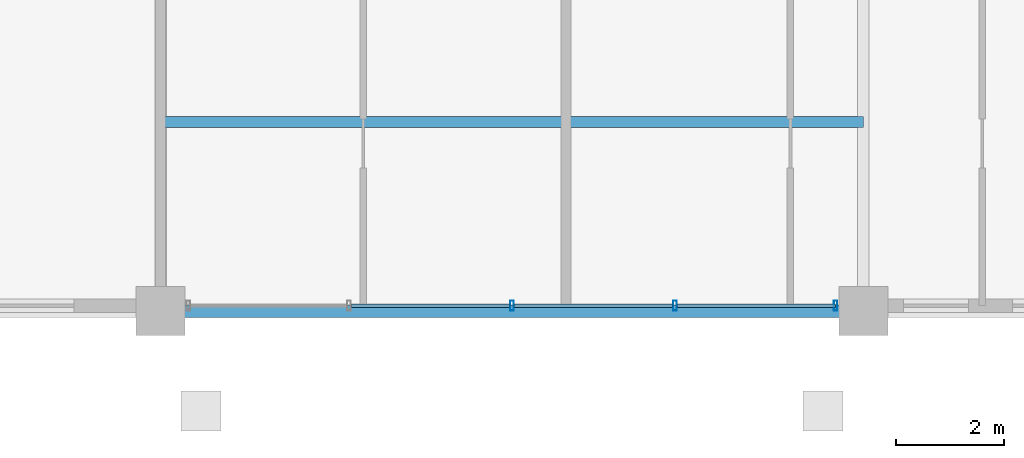
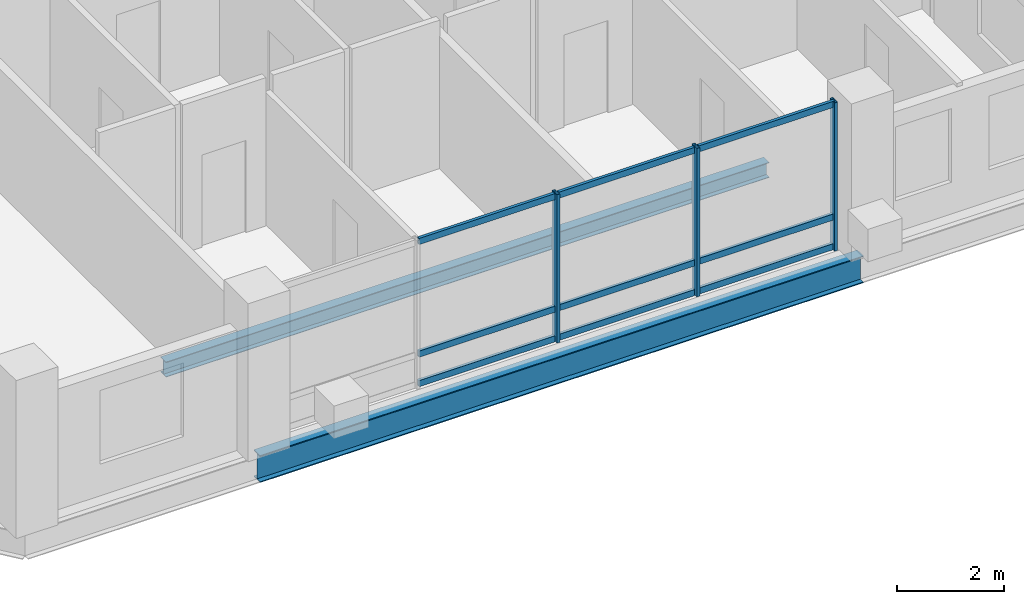
# One storey, part 4 of 21: 12 members, 2 beams, 1 element without a shape of its own.
"""IFC4 building model written with IfcOpenShell, lengths in metres."""

from ifc_helpers import new_model, si_unit, direction, frame, origin, origin_2d, place, context, subcontext, project, spatial, hollow_rectangle, i_section, extrude, material, layer, layer_set, material_profile, profile_set, type_object, element, aggregate, save


model = new_model("IFC4")

# Units and contexts
model_context = context("Model", 3, precision=1e-05, world=origin(), true_north=direction((0.0, 1.0)))
body_context = subcontext(model_context, "Body", "Model", "MODEL_VIEW")
ifc_project = project(units=[si_unit("LENGTHUNIT", "METRE"), si_unit("AREAUNIT", "SQUARE_METRE"), si_unit("VOLUMEUNIT", "CUBIC_METRE"), si_unit("PLANEANGLEUNIT", "RADIAN"), si_unit("MASSUNIT", "GRAM", prefix="KILO")], contexts=[model_context])

# Site, building, storey
site_placement = place(None, origin())
site = spatial("IfcSite", under=ifc_project, at=site_placement, CompositionType="ELEMENT")
building_placement = place(site_placement, origin())
building = spatial("IfcBuilding", under=site, at=building_placement, Name="Barlavira Tower and Art Museum", CompositionType="ELEMENT")
storey_placement = place(building_placement, frame((0.0, 0.0, 297.89990234375)))
storey = spatial("IfcBuildingStorey", under=building, at=storey_placement, Name="L78", CompositionType="ELEMENT", Elevation=297.89990234375)

# Curtain wall, members
ifc_material_1 = material(Name="Low-iron coastal laminated glass", Category="glass")
ifc_layer = layer(ifc_material_1, 0.2099609375, Name="Low-iron coastal laminated glass")
ifc_layer_set = layer_set([ifc_layer], Name="Low-iron coastal laminated glass")
curtain_wall_type = type_object("IfcCurtainWallType", Name="Pale-Metal Unitised Curtain Wall Zone 4", PredefinedType="NOTDEFINED", material=ifc_layer_set)
curtain_wall_placement = place(storey_placement, origin())
curtain_wall = element("IfcCurtainWall", 1, at=curtain_wall_placement, inside=storey, type_object=curtain_wall_type, Name="L78 Curtain Wall CW4-L78-S-B2", PredefinedType="NOTDEFINED")
ifc_material_2 = material(Name="Pale anodised aluminium", Category="aluminium")
ifc_material_profile_1 = material_profile(ifc_material_2, hollow_rectangle(XDim=0.06494140625, YDim=0.179931640625, WallThickness=0.00390625, at=origin_2d()), Name="ALU-MULL 65x180x4")
ifc_profile_set_1 = profile_set([ifc_material_profile_1], Name="Pale anodised aluminium")
member_type_1 = type_object("IfcMemberType", Name="Curtain Wall Pale-Metal Mullion 65x180", PredefinedType="MULLION", material=ifc_profile_set_1)
member_1_placement = place(storey_placement, frame((0.0, -19.89990234375, 0.0), z_axis=(0.0, 0.0, 1.0), x_axis=(1.0, 0.0, 0.0)))
member_1 = element("IfcMember", 2, at=member_1_placement, type_object=member_type_1, Name="CW4-L78-S-B2 Mullion 2", PredefinedType="MULLION", context=body_context, shape_type="SweptSolid", body=[
    extrude(hollow_rectangle(XDim=0.06494140625, YDim=0.179931640625, WallThickness=0.00390625, at=origin_2d()), origin(), (0.0, 0.0, 1.0), 3.380126953125),
])
member_2_placement = place(storey_placement, frame((3.014892578125, -19.89990234375, 0.0), z_axis=(0.0, 0.0, 1.0), x_axis=(1.0, 0.0, 0.0)))
member_2 = element("IfcMember", 3, at=member_2_placement, type_object=member_type_1, Name="CW4-L78-S-B2 Mullion 3", PredefinedType="MULLION", context=body_context, shape_type="SweptSolid", body=[
    extrude(hollow_rectangle(XDim=0.06494140625, YDim=0.179931640625, WallThickness=0.00390625, at=origin_2d()), origin(), (0.0, 0.0, 1.0), 3.380126953125),
])
member_3_placement = place(storey_placement, frame((5.985107421875, -19.89990234375, 0.0), z_axis=(0.0, 0.0, 1.0), x_axis=(1.0, 0.0, 0.0)))
member_3 = element("IfcMember", 4, at=member_3_placement, type_object=member_type_1, Name="CW4-L78-S-B2 Mullion 4", PredefinedType="MULLION", context=body_context, shape_type="SweptSolid", body=[
    extrude(hollow_rectangle(XDim=0.06494140625, YDim=0.179931640625, WallThickness=0.00390625, at=origin_2d()), origin(), (0.0, 0.0, 1.0), 3.380126953125),
])
ifc_material_profile_2 = material_profile(ifc_material_2, hollow_rectangle(XDim=0.06494140625, YDim=0.139892578125, WallThickness=0.00390625, at=origin_2d()), Name="ALU-TRAN 65x140x4")
ifc_profile_set_2 = profile_set([ifc_material_profile_2], Name="Pale anodised aluminium")
member_type_2 = type_object("IfcMemberType", Name="Curtain Wall Pale-Metal Transom 65x140", PredefinedType="USERDEFINED", material=ifc_profile_set_2)
member_4_placement = place(storey_placement, frame((-2.969970703125, -19.89990234375, 0.070068359375), z_axis=(1.0, 0.0, 0.0), x_axis=(0.0, 1.0, 0.0)))
member_4 = element("IfcMember", 5, at=member_4_placement, type_object=member_type_2, Name="CW4-L78-S-B2 Transom 1.1", ObjectType="TRANSOM", PredefinedType="USERDEFINED", context=body_context, shape_type="SweptSolid", body=[
    extrude(hollow_rectangle(XDim=0.06494140625, YDim=0.139892578125, WallThickness=0.00390625, at=origin_2d()), origin(), (0.0, 0.0, 1.0), 2.925048828125),
])
member_5_placement = place(storey_placement, frame((-2.969970703125, -19.89990234375, 0.744140625), z_axis=(1.0, 0.0, 0.0), x_axis=(0.0, 1.0, 0.0)))
member_5 = element("IfcMember", 6, at=member_5_placement, type_object=member_type_2, Name="CW4-L78-S-B2 Transom 1.2", ObjectType="TRANSOM", PredefinedType="USERDEFINED", context=body_context, shape_type="SweptSolid", body=[
    extrude(hollow_rectangle(XDim=0.06494140625, YDim=0.139892578125, WallThickness=0.00390625, at=origin_2d()), origin(), (0.0, 0.0, 1.0), 2.925048828125),
])
member_6_placement = place(storey_placement, frame((-2.969970703125, -19.89990234375, 3.31005859375), z_axis=(1.0, 0.0, 0.0), x_axis=(0.0, 1.0, 0.0)))
member_6 = element("IfcMember", 7, at=member_6_placement, type_object=member_type_2, Name="CW4-L78-S-B2 Transom 1.3", ObjectType="TRANSOM", PredefinedType="USERDEFINED", context=body_context, shape_type="SweptSolid", body=[
    extrude(hollow_rectangle(XDim=0.06494140625, YDim=0.139892578125, WallThickness=0.00390625, at=origin_2d()), origin(), (0.0, 0.0, 1.0), 2.925048828125),
])
member_7_placement = place(storey_placement, frame((0.044921875, -19.89990234375, 0.070068359375), z_axis=(1.0, 0.0, 0.0), x_axis=(0.0, 1.0, 0.0)))
member_7 = element("IfcMember", 8, at=member_7_placement, type_object=member_type_2, Name="CW4-L78-S-B2 Transom 2.1", ObjectType="TRANSOM", PredefinedType="USERDEFINED", context=body_context, shape_type="SweptSolid", body=[
    extrude(hollow_rectangle(XDim=0.06494140625, YDim=0.139892578125, WallThickness=0.00390625, at=origin_2d()), origin(), (0.0, 0.0, 1.0), 2.925048828125),
])
member_8_placement = place(storey_placement, frame((0.044921875, -19.89990234375, 0.744140625), z_axis=(1.0, 0.0, 0.0), x_axis=(0.0, 1.0, 0.0)))
member_8 = element("IfcMember", 9, at=member_8_placement, type_object=member_type_2, Name="CW4-L78-S-B2 Transom 2.2", ObjectType="TRANSOM", PredefinedType="USERDEFINED", context=body_context, shape_type="SweptSolid", body=[
    extrude(hollow_rectangle(XDim=0.06494140625, YDim=0.139892578125, WallThickness=0.00390625, at=origin_2d()), origin(), (0.0, 0.0, 1.0), 2.925048828125),
])
member_9_placement = place(storey_placement, frame((0.044921875, -19.89990234375, 3.31005859375), z_axis=(1.0, 0.0, 0.0), x_axis=(0.0, 1.0, 0.0)))
member_9 = element("IfcMember", 10, at=member_9_placement, type_object=member_type_2, Name="CW4-L78-S-B2 Transom 2.3", ObjectType="TRANSOM", PredefinedType="USERDEFINED", context=body_context, shape_type="SweptSolid", body=[
    extrude(hollow_rectangle(XDim=0.06494140625, YDim=0.139892578125, WallThickness=0.00390625, at=origin_2d()), origin(), (0.0, 0.0, 1.0), 2.925048828125),
])
member_10_placement = place(storey_placement, frame((3.06005859375, -19.89990234375, 0.070068359375), z_axis=(1.0, 0.0, 0.0), x_axis=(0.0, 1.0, 0.0)))
member_10 = element("IfcMember", 11, at=member_10_placement, type_object=member_type_2, Name="CW4-L78-S-B2 Transom 3.1", ObjectType="TRANSOM", PredefinedType="USERDEFINED", context=body_context, shape_type="SweptSolid", body=[
    extrude(hollow_rectangle(XDim=0.06494140625, YDim=0.139892578125, WallThickness=0.00390625, at=origin_2d()), origin(), (0.0, 0.0, 1.0), 2.925048828125),
])
member_11_placement = place(storey_placement, frame((3.06005859375, -19.89990234375, 0.744140625), z_axis=(1.0, 0.0, 0.0), x_axis=(0.0, 1.0, 0.0)))
member_11 = element("IfcMember", 12, at=member_11_placement, type_object=member_type_2, Name="CW4-L78-S-B2 Transom 3.2", ObjectType="TRANSOM", PredefinedType="USERDEFINED", context=body_context, shape_type="SweptSolid", body=[
    extrude(hollow_rectangle(XDim=0.06494140625, YDim=0.139892578125, WallThickness=0.00390625, at=origin_2d()), origin(), (0.0, 0.0, 1.0), 2.925048828125),
])
member_12_placement = place(storey_placement, frame((3.06005859375, -19.89990234375, 3.31005859375), z_axis=(1.0, 0.0, 0.0), x_axis=(0.0, 1.0, 0.0)))
member_12 = element("IfcMember", 13, at=member_12_placement, type_object=member_type_2, Name="CW4-L78-S-B2 Transom 3.3", ObjectType="TRANSOM", PredefinedType="USERDEFINED", context=body_context, shape_type="SweptSolid", body=[
    extrude(hollow_rectangle(XDim=0.06494140625, YDim=0.139892578125, WallThickness=0.00390625, at=origin_2d()), origin(), (0.0, 0.0, 1.0), 2.925048828125),
])
aggregate(curtain_wall, [member_1, member_2, member_3, member_4, member_5, member_6, member_7, member_8, member_9, member_10, member_11, member_12])

# Beams
ifc_material_3 = material(Name="Steel S355", Category="steel")
ifc_material_profile_3 = material_profile(ifc_material_3, i_section(OverallWidth=0.22998046875, OverallDepth=0.616943359375, WebThickness=0.01318359375, FlangeThickness=0.022216796875, at=origin_2d()), Name="W610x140.0")
ifc_profile_set_3 = profile_set([ifc_material_profile_3], Name="Steel S355")
beam_type_1 = type_object("IfcBeamType", Name="Upper Shaft Spandrel Edge Beam W610x140 Steel S355", PredefinedType="SPANDREL", material=ifc_profile_set_3)
beam_1_placement = place(storey_placement, frame((-6.5, -20.0, -0.5283203125), z_axis=(1.0, 0.0, 0.0), x_axis=(0.0, 1.0, 0.0)))
element("IfcBeam", 14, at=beam_1_placement, inside=storey, type_object=beam_type_1, Name="L78 Spandrel 2", PredefinedType="SPANDREL", context=body_context, shape_type="SweptSolid", body=[
    extrude(i_section(OverallWidth=0.22998046875, OverallDepth=0.616943359375, WebThickness=0.01318359375, FlangeThickness=0.022216796875, at=origin_2d()), origin(), (0.0, 0.0, 1.0), 13.0),
])
ifc_material_profile_4 = material_profile(ifc_material_3, i_section(OverallWidth=0.202880859375, OverallDepth=0.346923828125, WebThickness=0.0078125, FlangeThickness=0.013427734375, at=origin_2d()), Name="W360x64.0")
ifc_profile_set_4 = profile_set([ifc_material_profile_4], Name="Steel S355")
beam_type_2 = type_object("IfcBeamType", Name="Zone 4 Composite Floor Joist W360x64 Steel S355", PredefinedType="JOIST", material=ifc_profile_set_4)
beam_2_placement = place(storey_placement, frame((-6.5, -16.5, -0.393310546875), z_axis=(1.0, 0.0, 0.0), x_axis=(0.0, 1.0, 0.0)))
element("IfcBeam", 15, at=beam_2_placement, inside=storey, type_object=beam_type_2, Name="L78 Joist C1", PredefinedType="JOIST", context=body_context, shape_type="SweptSolid", body=[
    extrude(i_section(OverallWidth=0.202880859375, OverallDepth=0.346923828125, WebThickness=0.0078125, FlangeThickness=0.013427734375, at=origin_2d()), origin(), (0.0, 0.0, 1.0), 13.0),
])

save(model, "model.ifc")
